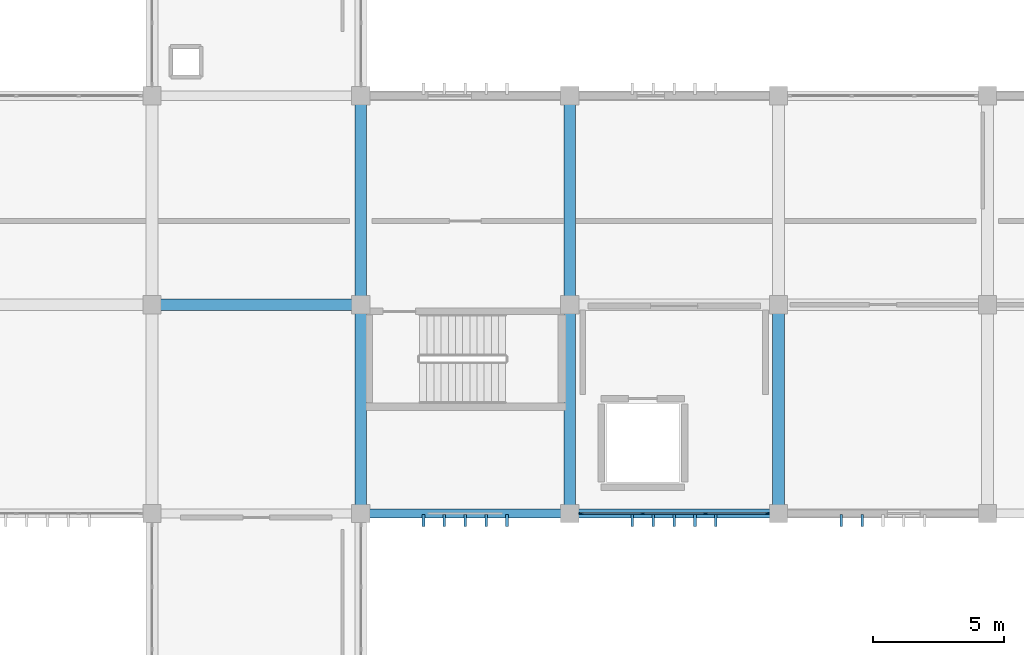
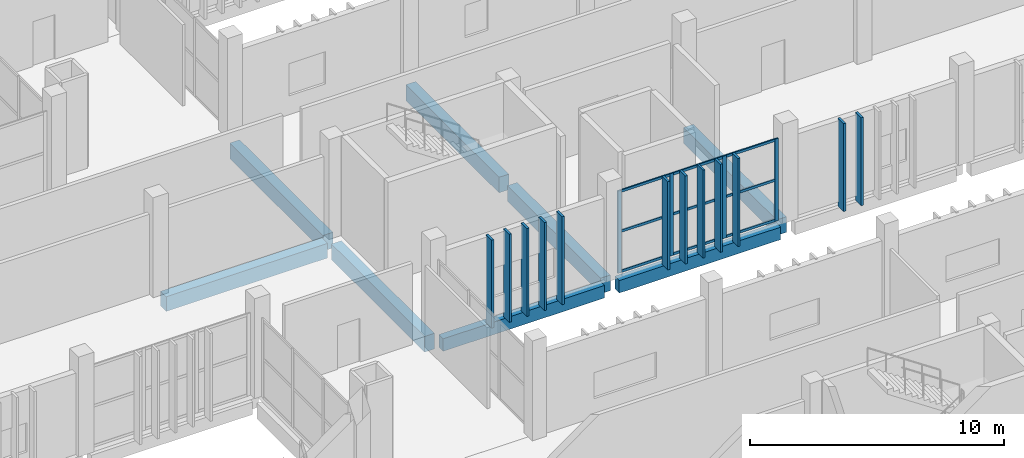
# One storey, part 35 of 106: 25 members, 8 beams, 1 element without a shape of its own.
"""IFC4 building model written with IfcOpenShell, lengths in metres."""

from ifc_helpers import new_model, si_unit, direction, frame, origin, origin_2d, place, context, subcontext, project, spatial, rectangle, extrude, material, layer, layer_set, material_profile, profile_set, type_object, element, aggregate, save


model = new_model("IFC4")

# Units and contexts
model_context = context("Model", 3, precision=1e-05, world=origin(), true_north=direction((0.0, 1.0)))
body_context = subcontext(model_context, "Body", "Model", "MODEL_VIEW")
ifc_project = project(units=[si_unit("LENGTHUNIT", "METRE"), si_unit("AREAUNIT", "SQUARE_METRE"), si_unit("VOLUMEUNIT", "CUBIC_METRE"), si_unit("PLANEANGLEUNIT", "RADIAN"), si_unit("MASSUNIT", "GRAM", prefix="KILO")], contexts=[model_context])

# Site, building, storey
site_placement = place(None, origin())
site = spatial("IfcSite", under=ifc_project, at=site_placement, CompositionType="ELEMENT")
building_placement = place(site_placement, origin())
building = spatial("IfcBuilding", under=site, at=building_placement, Name="Jelvoka-Kovrelna Polytechnic", CompositionType="ELEMENT")
storey_placement = place(building_placement, frame((0.0, 0.0, 4.800048828125)))
storey = spatial("IfcBuildingStorey", under=building, at=storey_placement, Name="L02", CompositionType="ELEMENT", Elevation=4.800048828125)

# Beams
ifc_material_1 = material(Name="Concrete C40/50", Category="concrete")
ifc_material_profile_1 = material_profile(ifc_material_1, rectangle(XDim=0.449951171875, YDim=0.699951171875, at=origin_2d()), Name="RC 450x700")
ifc_profile_set_1 = profile_set([ifc_material_profile_1], Name="Concrete C40/50")
beam_type_1 = type_object("IfcBeamType", Name="Beam_RC_450x700", PredefinedType="BEAM", material=ifc_profile_set_1)
beam_placement = place(storey_placement, frame((72.330078125, 40.0, -0.614990234375), z_axis=(1.0, 0.0, 0.0), x_axis=(0.0, 1.0, 0.0)))
element("IfcBeam", 1, at=beam_placement, inside=storey, type_object=beam_type_1, Name="L02 beam 0687", PredefinedType="BEAM", context=body_context, shape_type="SweptSolid", body=[
    extrude(rectangle(XDim=0.449951171875, YDim=0.699951171875, at=origin_2d()), origin(), (0.0, 0.0, 1.0), 7.33984375),
])
ifc_material_2 = material(Name="Concrete C40/50", Category="concrete")
ifc_material_profile_2 = material_profile(ifc_material_2, rectangle(XDim=0.449951171875, YDim=0.75, at=origin_2d()), Name="RC 450x750")
ifc_profile_set_2 = profile_set([ifc_material_profile_2], Name="Concrete C40/50")
beam_type_2 = type_object("IfcBeamType", Name="Beam_RC_450x750", PredefinedType="BEAM", material=ifc_profile_set_2)
for number, where, z_axis, x_axis, name in (
    (2, (80.0, 32.330078125, -0.64013671875), (0.0, 1.0, 0.0), (-1.0, 0.0, 0.0), "L02 beam 0704"),
    (3, (80.0, 40.330078125, -0.64013671875), (0.0, 1.0, 0.0), (-1.0, 0.0, 0.0), "L02 beam 0705"),
    (4, (88.0, 32.330078125, -0.64013671875), (0.0, 1.0, 0.0), (-1.0, 0.0, 0.0), "L02 beam 0706"),
    (5, (88.0, 40.330078125, -0.64013671875), (0.0, 1.0, 0.0), (-1.0, 0.0, 0.0), "L02 beam 0707"),
    (6, (96.0, 32.330078125, -0.64013671875), (0.0, 1.0, 0.0), (-1.0, 0.0, 0.0), "L02 beam 0708"),
):
    element("IfcBeam", number, at=place(storey_placement, frame(where, z_axis=z_axis, x_axis=x_axis)), inside=storey, type_object=beam_type_2, Name=name, PredefinedType="BEAM", context=body_context, shape_type="SweptSolid", body=[
        extrude(rectangle(XDim=0.449951171875, YDim=0.75, at=origin_2d()), origin(), (0.0, 0.0, 1.0), 7.33984375),
    ])

# Members
ifc_material_3 = material(Name="Precast concrete C40/50", Category="concrete")
ifc_material_profile_3 = material_profile(ifc_material_3, rectangle(XDim=0.10009765625, YDim=0.449951171875, at=origin_2d()), Name="PC 100x450")
ifc_profile_set_3 = profile_set([ifc_material_profile_3], Name="Precast concrete C40/50")
member_type_1 = type_object("IfcMemberType", Name="Louvre_Fin_100x450", PredefinedType="USERDEFINED", material=ifc_profile_set_3)
for number, where, z_axis, x_axis, name in (
    (7, (82.39990234375, 31.735107421875, -0.27001953125), (0.0, 0.0, 1.0), (1.0, 0.0, 0.0), "L02 B2W south vertical solar louvre fin 0616"),
    (8, (83.199951171875, 31.735107421875, -0.27001953125), (0.0, 0.0, 1.0), (1.0, 0.0, 0.0), "L02 B2W south vertical solar louvre fin 0617"),
    (9, (84.0, 31.735107421875, -0.27001953125), (0.0, 0.0, 1.0), (1.0, 0.0, 0.0), "L02 B2W south vertical solar louvre fin 0618"),
    (10, (84.800048828125, 31.735107421875, -0.27001953125), (0.0, 0.0, 1.0), (1.0, 0.0, 0.0), "L02 B2W south vertical solar louvre fin 0619"),
    (11, (85.60009765625, 31.735107421875, -0.27001953125), (0.0, 0.0, 1.0), (1.0, 0.0, 0.0), "L02 B2W south vertical solar louvre fin 0620"),
    (12, (90.39990234375, 31.735107421875, -0.27001953125), (0.0, 0.0, 1.0), (1.0, 0.0, 0.0), "L02 B2W south vertical solar louvre fin 0626"),
    (13, (91.199951171875, 31.735107421875, -0.27001953125), (0.0, 0.0, 1.0), (1.0, 0.0, 0.0), "L02 B2W south vertical solar louvre fin 0627"),
    (14, (92.0, 31.735107421875, -0.27001953125), (0.0, 0.0, 1.0), (1.0, 0.0, 0.0), "L02 B2W south vertical solar louvre fin 0628"),
    (15, (92.800048828125, 31.735107421875, -0.27001953125), (0.0, 0.0, 1.0), (1.0, 0.0, 0.0), "L02 B2W south vertical solar louvre fin 0629"),
    (16, (93.60009765625, 31.735107421875, -0.27001953125), (0.0, 0.0, 1.0), (1.0, 0.0, 0.0), "L02 B2W south vertical solar louvre fin 0630"),
    (17, (98.39990234375, 31.735107421875, -0.27001953125), (0.0, 0.0, 1.0), (1.0, 0.0, 0.0), "L02 B2W south vertical solar louvre fin 0636"),
    (18, (99.199951171875, 31.735107421875, -0.27001953125), (0.0, 0.0, 1.0), (1.0, 0.0, 0.0), "L02 B2W south vertical solar louvre fin 0637"),
):
    element("IfcMember", number, at=place(storey_placement, frame(where, z_axis=z_axis, x_axis=x_axis)), inside=storey, type_object=member_type_1, Name=name, ObjectType="SUNSHADE", PredefinedType="USERDEFINED", context=body_context, shape_type="SweptSolid", body=[
        extrude(rectangle(XDim=0.10009765625, YDim=0.449951171875, at=origin_2d()), origin(), (0.0, 0.0, 1.0), 4.22998046875),
    ])

# Curtain wall, members
ifc_material_4 = material(Name="Anodised aluminium 6063-T6", Category="aluminium")
ifc_layer = layer(ifc_material_4, 0.159912109375)
ifc_layer_set = layer_set([ifc_layer], Name="Anodised aluminium 6063-T6")
curtain_wall_type = type_object("IfcCurtainWallType", Name="CW_Recessed_A", PredefinedType="NOTDEFINED", material=ifc_layer_set)
curtain_wall_placement = place(storey_placement, origin())
curtain_wall = element("IfcCurtainWall", 19, at=curtain_wall_placement, inside=storey, type_object=curtain_wall_type, Name="L02 glazed curtain wall 017", PredefinedType="NOTDEFINED")
ifc_material_5 = material(Name="Anodised aluminium 6063-T6", Category="aluminium")
ifc_material_profile_4 = material_profile(ifc_material_5, rectangle(XDim=0.06005859375, YDim=0.159912109375, at=origin_2d()), Name="ALU 60x160")
ifc_profile_set_4 = profile_set([ifc_material_profile_4], Name="Anodised aluminium 6063-T6")
member_type_2 = type_object("IfcMemberType", Name="Mullion_M-01", PredefinedType="MULLION", material=ifc_profile_set_4)
member_1_placement = place(storey_placement, frame((95.570068359375, 32.0, -0.02490234375), z_axis=(0.0, 0.0, 1.0), x_axis=(0.0, -1.0, 0.0)))
member_1 = element("IfcMember", 20, at=member_1_placement, type_object=member_type_2, Name="CW-01 mullion 1", PredefinedType="MULLION", context=body_context, shape_type="SweptSolid", body=[
    extrude(rectangle(XDim=0.06005859375, YDim=0.159912109375, at=origin_2d()), origin(), (0.0, 0.0, 1.0), 3.9599609375),
])
member_2_placement = place(storey_placement, frame((93.199951171875, 32.0, -0.02490234375), z_axis=(0.0, 0.0, 1.0), x_axis=(0.0, -1.0, 0.0)))
member_2 = element("IfcMember", 21, at=member_2_placement, type_object=member_type_2, Name="CW-01 mullion 2", PredefinedType="MULLION", context=body_context, shape_type="SweptSolid", body=[
    extrude(rectangle(XDim=0.06005859375, YDim=0.159912109375, at=origin_2d()), origin(), (0.0, 0.0, 1.0), 3.9599609375),
])
member_3_placement = place(storey_placement, frame((90.800048828125, 32.0, -0.02490234375), z_axis=(0.0, 0.0, 1.0), x_axis=(0.0, -1.0, 0.0)))
member_3 = element("IfcMember", 22, at=member_3_placement, type_object=member_type_2, Name="CW-01 mullion 3", PredefinedType="MULLION", context=body_context, shape_type="SweptSolid", body=[
    extrude(rectangle(XDim=0.06005859375, YDim=0.159912109375, at=origin_2d()), origin(), (0.0, 0.0, 1.0), 3.9599609375),
])
member_4_placement = place(storey_placement, frame((88.429931640625, 32.0, -0.02490234375), z_axis=(0.0, 0.0, 1.0), x_axis=(0.0, -1.0, 0.0)))
member_4 = element("IfcMember", 23, at=member_4_placement, type_object=member_type_2, Name="CW-01 mullion 4", PredefinedType="MULLION", context=body_context, shape_type="SweptSolid", body=[
    extrude(rectangle(XDim=0.06005859375, YDim=0.159912109375, at=origin_2d()), origin(), (0.0, 0.0, 1.0), 3.9599609375),
])

# Beams
ifc_material_6 = material(Name="Concrete C40/50", Category="concrete")
ifc_material_profile_5 = material_profile(ifc_material_6, rectangle(XDim=0.35009765625, YDim=0.60009765625, at=origin_2d()), Name="RC 350x600")
ifc_profile_set_5 = profile_set([ifc_material_profile_5], Name="Concrete C40/50")
beam_type_3 = type_object("IfcBeamType", Name="Spandrel_RC_350x600", PredefinedType="SPANDREL", material=ifc_profile_set_5)
for number, where, z_axis, x_axis, name in (
    (24, (80.330078125, 32.0, -0.56494140625), (1.0, 0.0, 0.0), (0.0, 1.0, 0.0), "L02 beam 0681"),
    (25, (88.330078125, 32.0, -0.56494140625), (1.0, 0.0, 0.0), (0.0, 1.0, 0.0), "L02 beam 0682"),
):
    element("IfcBeam", number, at=place(storey_placement, frame(where, z_axis=z_axis, x_axis=x_axis)), inside=storey, type_object=beam_type_3, Name=name, PredefinedType="SPANDREL", context=body_context, shape_type="SweptSolid", body=[
        extrude(rectangle(XDim=0.35009765625, YDim=0.60009765625, at=origin_2d()), origin(), (0.0, 0.0, 1.0), 7.33984375),
    ])

# Member
ifc_material_7 = material(Name="Anodised aluminium 6063-T6", Category="aluminium")
ifc_material_profile_6 = material_profile(ifc_material_7, rectangle(XDim=0.06005859375, YDim=0.1201171875, at=origin_2d()), Name="ALU 60x120")
ifc_profile_set_6 = profile_set([ifc_material_profile_6], Name="Anodised aluminium 6063-T6")
member_type_3 = type_object("IfcMemberType", Name="Transom_T-01", PredefinedType="USERDEFINED", material=ifc_profile_set_6)
member_5_placement = place(storey_placement, frame((95.5400390625, 32.0, 0.030029296875), z_axis=(-1.0, 0.0, 0.0), x_axis=(0.0, -1.0, 0.0)))
member_5 = element("IfcMember", 26, at=member_5_placement, type_object=member_type_3, Name="CW-01 transom 1.1", ObjectType="TRANSOM", PredefinedType="USERDEFINED", context=body_context, shape_type="SweptSolid", body=[
    extrude(rectangle(XDim=0.06005859375, YDim=0.1201171875, at=origin_2d()), origin(), (0.0, 0.0, 1.0), 2.31005859375),
])

member_6_placement = place(storey_placement, frame((95.5400390625, 32.0, 1.954833984375), z_axis=(-1.0, 0.0, 0.0), x_axis=(0.0, -1.0, 0.0)))
member_6 = element("IfcMember", 27, at=member_6_placement, type_object=member_type_3, Name="CW-01 transom 1.2", ObjectType="TRANSOM", PredefinedType="USERDEFINED", context=body_context, shape_type="SweptSolid", body=[
    extrude(rectangle(XDim=0.06005859375, YDim=0.1201171875, at=origin_2d()), origin(), (0.0, 0.0, 1.0), 2.31005859375),
])

member_7_placement = place(storey_placement, frame((95.5400390625, 32.0, 3.8798828125), z_axis=(-1.0, 0.0, 0.0), x_axis=(0.0, -1.0, 0.0)))
member_7 = element("IfcMember", 28, at=member_7_placement, type_object=member_type_3, Name="CW-01 transom 1.3", ObjectType="TRANSOM", PredefinedType="USERDEFINED", context=body_context, shape_type="SweptSolid", body=[
    extrude(rectangle(XDim=0.06005859375, YDim=0.1201171875, at=origin_2d()), origin(), (0.0, 0.0, 1.0), 2.31005859375),
])

member_8_placement = place(storey_placement, frame((93.169921875, 32.0, 0.030029296875), z_axis=(-1.0, 0.0, 0.0), x_axis=(0.0, -1.0, 0.0)))
member_8 = element("IfcMember", 29, at=member_8_placement, type_object=member_type_3, Name="CW-01 transom 2.1", ObjectType="TRANSOM", PredefinedType="USERDEFINED", context=body_context, shape_type="SweptSolid", body=[
    extrude(rectangle(XDim=0.06005859375, YDim=0.1201171875, at=origin_2d()), origin(), (0.0, 0.0, 1.0), 2.33984375),
])

member_9_placement = place(storey_placement, frame((93.169921875, 32.0, 1.954833984375), z_axis=(-1.0, 0.0, 0.0), x_axis=(0.0, -1.0, 0.0)))
member_9 = element("IfcMember", 30, at=member_9_placement, type_object=member_type_3, Name="CW-01 transom 2.2", ObjectType="TRANSOM", PredefinedType="USERDEFINED", context=body_context, shape_type="SweptSolid", body=[
    extrude(rectangle(XDim=0.06005859375, YDim=0.1201171875, at=origin_2d()), origin(), (0.0, 0.0, 1.0), 2.33984375),
])

member_10_placement = place(storey_placement, frame((93.169921875, 32.0, 3.8798828125), z_axis=(-1.0, 0.0, 0.0), x_axis=(0.0, -1.0, 0.0)))
member_10 = element("IfcMember", 31, at=member_10_placement, type_object=member_type_3, Name="CW-01 transom 2.3", ObjectType="TRANSOM", PredefinedType="USERDEFINED", context=body_context, shape_type="SweptSolid", body=[
    extrude(rectangle(XDim=0.06005859375, YDim=0.1201171875, at=origin_2d()), origin(), (0.0, 0.0, 1.0), 2.33984375),
])

member_11_placement = place(storey_placement, frame((90.77001953125, 32.0, 0.030029296875), z_axis=(-1.0, 0.0, 0.0), x_axis=(0.0, -1.0, 0.0)))
member_11 = element("IfcMember", 32, at=member_11_placement, type_object=member_type_3, Name="CW-01 transom 3.1", ObjectType="TRANSOM", PredefinedType="USERDEFINED", context=body_context, shape_type="SweptSolid", body=[
    extrude(rectangle(XDim=0.06005859375, YDim=0.1201171875, at=origin_2d()), origin(), (0.0, 0.0, 1.0), 2.31005859375),
])

member_12_placement = place(storey_placement, frame((90.77001953125, 32.0, 1.954833984375), z_axis=(-1.0, 0.0, 0.0), x_axis=(0.0, -1.0, 0.0)))
member_12 = element("IfcMember", 33, at=member_12_placement, type_object=member_type_3, Name="CW-01 transom 3.2", ObjectType="TRANSOM", PredefinedType="USERDEFINED", context=body_context, shape_type="SweptSolid", body=[
    extrude(rectangle(XDim=0.06005859375, YDim=0.1201171875, at=origin_2d()), origin(), (0.0, 0.0, 1.0), 2.31005859375),
])

member_13_placement = place(storey_placement, frame((90.77001953125, 32.0, 3.8798828125), z_axis=(-1.0, 0.0, 0.0), x_axis=(0.0, -1.0, 0.0)))
member_13 = element("IfcMember", 34, at=member_13_placement, type_object=member_type_3, Name="CW-01 transom 3.3", ObjectType="TRANSOM", PredefinedType="USERDEFINED", context=body_context, shape_type="SweptSolid", body=[
    extrude(rectangle(XDim=0.06005859375, YDim=0.1201171875, at=origin_2d()), origin(), (0.0, 0.0, 1.0), 2.31005859375),
])

aggregate(curtain_wall, [member_1, member_2, member_3, member_4, member_5, member_6, member_7, member_8, member_9, member_10, member_11, member_12, member_13])

save(model, "model.ifc")
